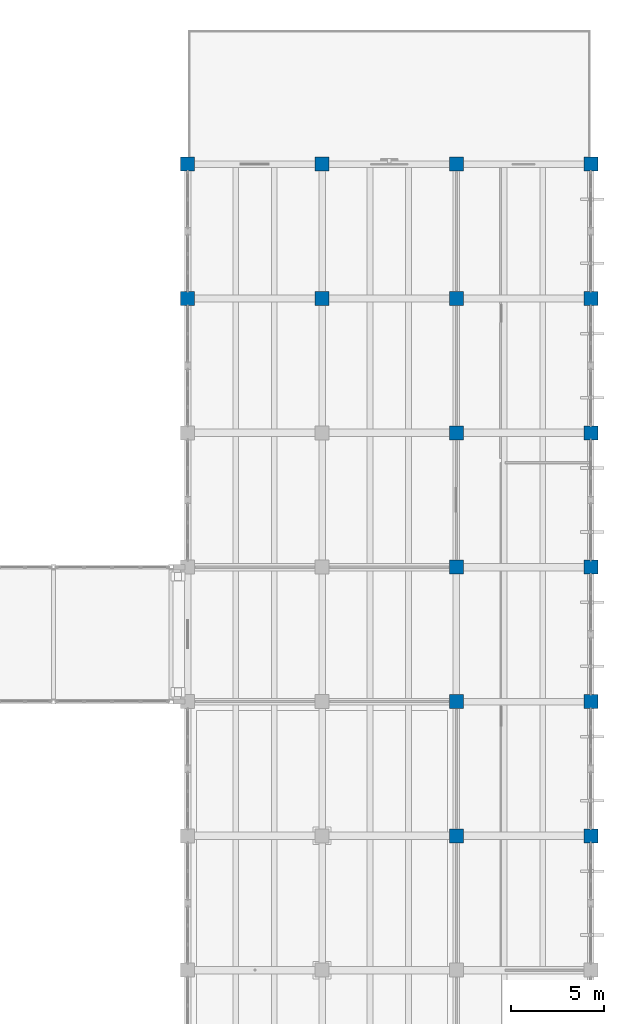
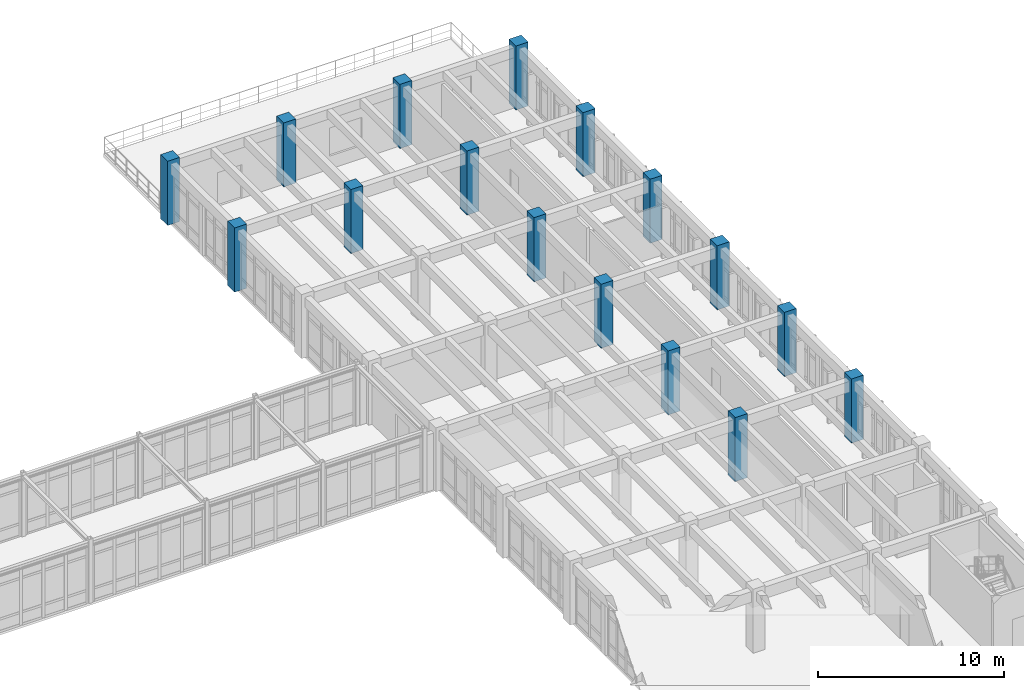
# One storey, part 6 of 136: 16 columns.
"""IFC4 building model written with IfcOpenShell, lengths in metres."""

from ifc_helpers import new_model, si_unit, direction, frame, origin, origin_2d, place, context, subcontext, project, spatial, rectangle, extrude, material, material_profile, profile_set, type_object, element, save


model = new_model("IFC4")

# Units and contexts
model_context = context("Model", 3, precision=1e-05, world=origin(), true_north=direction((0.0, 1.0)))
body_context = subcontext(model_context, "Body", "Model", "MODEL_VIEW")
ifc_project = project(units=[si_unit("LENGTHUNIT", "METRE"), si_unit("AREAUNIT", "SQUARE_METRE"), si_unit("VOLUMEUNIT", "CUBIC_METRE"), si_unit("PLANEANGLEUNIT", "RADIAN"), si_unit("MASSUNIT", "GRAM", prefix="KILO")], contexts=[model_context])

# Site, building, storey
site_placement = place(None, origin())
site = spatial("IfcSite", under=ifc_project, at=site_placement, CompositionType="ELEMENT")
building_placement = place(site_placement, origin())
building = spatial("IfcBuilding", under=site, at=building_placement, Name="Koriwan Promenade Central Fire Station", CompositionType="ELEMENT")
storey_placement = place(building_placement, frame((0.0, 0.0, 5.39990234375)))
storey = spatial("IfcBuildingStorey", under=building, at=storey_placement, Name="L01", CompositionType="ELEMENT", Elevation=5.39990234375)

# Columns
ifc_material = material(Name="Concrete C40/50", Category="concrete")
ifc_material_profile = material_profile(ifc_material, rectangle(XDim=0.75, YDim=0.75, at=origin_2d()), Name="RC-COL-750x750")
ifc_profile_set = profile_set([ifc_material_profile], Name="Concrete C40/50")
column_type = type_object("IfcColumnType", Name="Column_RC-COL-750x750", PredefinedType="COLUMN", material=ifc_profile_set)
for number, where, z_axis, x_axis, name in (
    (1, (151.199951171875, 64.800048828125, 0.0), (0.0, 0.0, 1.0), (1.0, 0.0, 0.0), "V5 L01 column (151.2, 64.8)"),
    (2, (151.199951171875, 72.0, 0.0), (0.0, 0.0, 1.0), (1.0, 0.0, 0.0), "V5 L01 column (151.2, 72.0)"),
    (3, (158.39990234375, 64.800048828125, 0.0), (0.0, 0.0, 1.0), (1.0, 0.0, 0.0), "V5 L01 column (158.4, 64.8)"),
    (4, (158.39990234375, 72.0, 0.0), (0.0, 0.0, 1.0), (1.0, 0.0, 0.0), "V5 L01 column (158.4, 72.0)"),
    (5, (165.60009765625, 36.0, 0.0), (0.0, 0.0, 1.0), (1.0, 0.0, 0.0), "V5 L01 column (165.6, 36.0)"),
    (6, (165.60009765625, 43.199951171875, 0.0), (0.0, 0.0, 1.0), (1.0, 0.0, 0.0), "V5 L01 column (165.6, 43.2)"),
    (7, (165.60009765625, 50.39990234375, 0.0), (0.0, 0.0, 1.0), (1.0, 0.0, 0.0), "V5 L01 column (165.6, 50.4)"),
    (8, (165.60009765625, 57.60009765625, 0.0), (0.0, 0.0, 1.0), (1.0, 0.0, 0.0), "V5 L01 column (165.6, 57.6)"),
    (9, (165.60009765625, 64.800048828125, 0.0), (0.0, 0.0, 1.0), (1.0, 0.0, 0.0), "V5 L01 column (165.6, 64.8)"),
    (10, (165.60009765625, 72.0, 0.0), (0.0, 0.0, 1.0), (1.0, 0.0, 0.0), "V5 L01 column (165.6, 72.0)"),
    (11, (172.800048828125, 36.0, 0.0), (0.0, 0.0, 1.0), (1.0, 0.0, 0.0), "V5 L01 column (172.8, 36.0)"),
    (12, (172.800048828125, 43.199951171875, 0.0), (0.0, 0.0, 1.0), (1.0, 0.0, 0.0), "V5 L01 column (172.8, 43.2)"),
    (13, (172.800048828125, 50.39990234375, 0.0), (0.0, 0.0, 1.0), (1.0, 0.0, 0.0), "V5 L01 column (172.8, 50.4)"),
    (14, (172.800048828125, 57.60009765625, 0.0), (0.0, 0.0, 1.0), (1.0, 0.0, 0.0), "V5 L01 column (172.8, 57.6)"),
    (15, (172.800048828125, 64.800048828125, 0.0), (0.0, 0.0, 1.0), (1.0, 0.0, 0.0), "V5 L01 column (172.8, 64.8)"),
    (16, (172.800048828125, 72.0, 0.0), (0.0, 0.0, 1.0), (1.0, 0.0, 0.0), "V5 L01 column (172.8, 72.0)"),
):
    element("IfcColumn", number, at=place(storey_placement, frame(where, z_axis=z_axis, x_axis=x_axis)), inside=storey, type_object=column_type, Name=name, PredefinedType="COLUMN", context=body_context, shape_type="SweptSolid", body=[
        extrude(rectangle(XDim=0.75, YDim=0.75, at=origin_2d()), origin(), (0.0, 0.0, 1.0), 4.2001953125),
    ])

save(model, "model.ifc")
